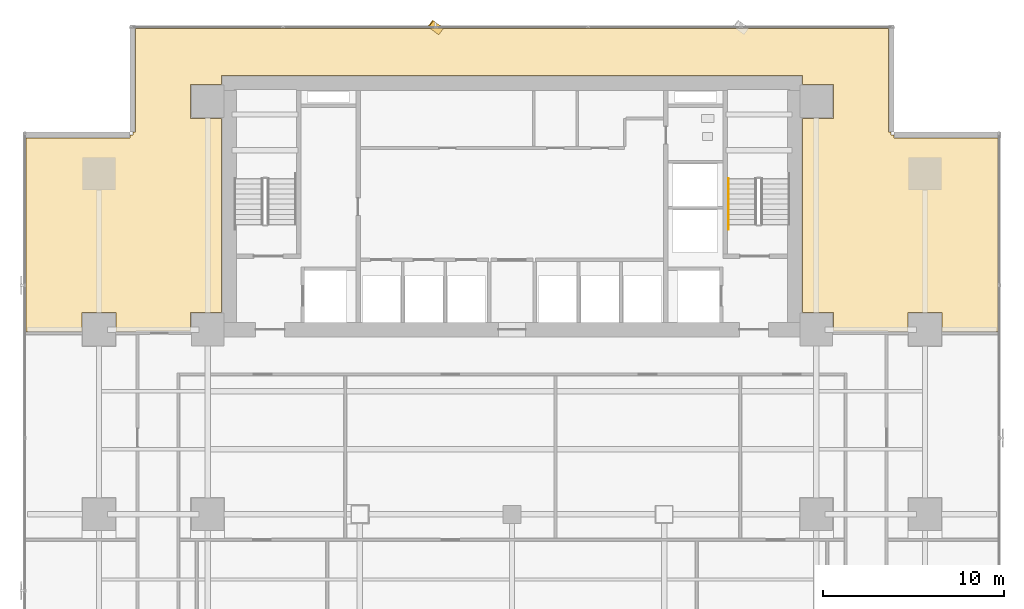
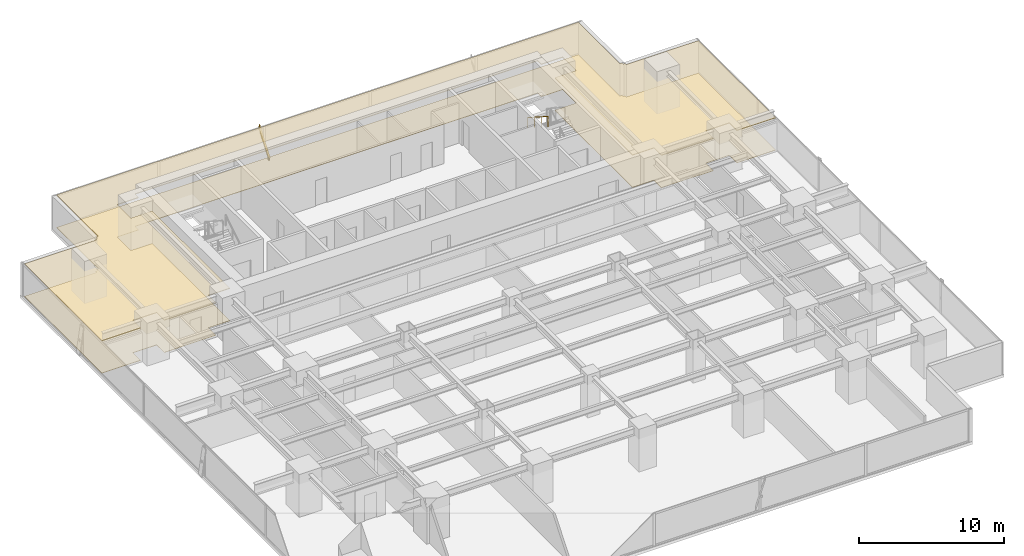
# One storey, part 30 of 32: 2 coverings, 1 railing, 1 shading device.
"""IFC4 building model written with IfcOpenShell, lengths in metres."""

from ifc_helpers import new_model, si_unit, direction, frame, origin, origin_2d, place, context, subcontext, project, spatial, polyline, rectangle, outline, extrude, source, transform, mapped, material, layer, layer_set, material_profile, profile_set, type_object, element, save


model = new_model("IFC4")

# Units and contexts
model_context = context("Model", 3, precision=1e-05, world=origin(), true_north=direction((0.0, 1.0)))
body_context = subcontext(model_context, "Body", "Model", "MODEL_VIEW")
ifc_project = project(units=[si_unit("LENGTHUNIT", "METRE"), si_unit("AREAUNIT", "SQUARE_METRE"), si_unit("VOLUMEUNIT", "CUBIC_METRE"), si_unit("PLANEANGLEUNIT", "RADIAN"), si_unit("MASSUNIT", "GRAM", prefix="KILO")], contexts=[model_context])

# Site, building, storey
site_placement = place(None, origin())
site = spatial("IfcSite", under=ifc_project, at=site_placement, CompositionType="ELEMENT")
building_placement = place(site_placement, origin())
building = spatial("IfcBuilding", under=site, at=building_placement, Name="Sumidabori Civic Tower", CompositionType="ELEMENT")
storey_placement = place(building_placement, frame((0.0, 0.0, 45.199951171875)))
storey = spatial("IfcBuildingStorey", under=building, at=storey_placement, Name="L11", CompositionType="ELEMENT", Elevation=45.199951171875)

# Coverings
ifc_material_1 = material(Name="Anodised Bronze Baffle Ceiling")
ifc_layer_1 = layer(ifc_material_1, 0.054931640625, Name="Anodised Bronze Baffle Ceiling")
ifc_layer_set_1 = layer_set([ifc_layer_1], Name="Anodised Bronze Baffle Ceiling")
covering_type_1 = type_object("IfcCoveringType", Name="CV-CEIL-AC3", PredefinedType="CEILING", material=ifc_layer_set_1)
covering_1_placement = place(storey_placement, frame((0.0, 0.0, 2.7099609375)))
element("IfcCovering", 1, at=covering_1_placement, inside=storey, type_object=covering_type_1, Name="Room Acoustic Ceiling L11-01", PredefinedType="CEILING", context=body_context, shape_type="SweptSolid", body=[
    extrude(outline(polyline([(-26.830078125, 10.094970703125), (-26.830078125, 20.77197265625), (-21.092041015625, 20.77197265625), (-21.092041015625, 20.929931640625), (-20.929931640625, 20.929931640625), (-20.929931640625, 21.092041015625), (-20.77197265625, 21.092041015625), (-20.77197265625, 26.830078125), (20.77197265625, 26.830078125), (20.77197265625, 21.092041015625), (20.929931640625, 21.092041015625), (20.929931640625, 20.929931640625), (21.092041015625, 20.929931640625), (21.092041015625, 20.77197265625), (26.830078125, 20.77197265625), (26.830078125, 10.094970703125), (23.739990234375, 10.094970703125), (23.739990234375, 11.139892578125), (21.860107421875, 11.139892578125), (21.860107421875, 10.094970703125), (20.77001953125, 10.094970703125), (20.77001953125, 10.1201171875), (17.739990234375, 10.1201171875), (17.739990234375, 11.139892578125), (16.028076171875, 11.139892578125), (16.028076171875, 21.860107421875), (17.739990234375, 21.860107421875), (17.739990234375, 23.739990234375), (16.028076171875, 23.739990234375), (16.028076171875, 24.22802734375), (-16.028076171875, 24.22802734375), (-16.028076171875, 23.739990234375), (-17.739990234375, 23.739990234375), (-17.739990234375, 21.860107421875), (-16.028076171875, 21.860107421875), (-16.028076171875, 11.139892578125), (-17.739990234375, 11.139892578125), (-17.739990234375, 10.1201171875), (-20.77001953125, 10.1201171875), (-20.77001953125, 10.094970703125), (-21.860107421875, 10.094970703125), (-21.860107421875, 11.139892578125), (-23.739990234375, 11.139892578125), (-23.739990234375, 10.094970703125), (-26.830078125, 10.094970703125)])), origin(), (0.0, 0.0, 1.0), 0.05517578125),
])
ifc_material_2 = material(Name="Honed Terrazzo Tile Flooring")
ifc_layer_2 = layer(ifc_material_2, 0.030029296875, Name="Honed Terrazzo Tile Flooring")
ifc_layer_set_2 = layer_set([ifc_layer_2], Name="Honed Terrazzo Tile Flooring")
covering_type_2 = type_object("IfcCoveringType", Name="CV-FLR-TER", PredefinedType="FLOORING", material=ifc_layer_set_2)
covering_2_placement = place(storey_placement, origin())
element("IfcCovering", 2, at=covering_2_placement, inside=storey, type_object=covering_type_2, Name="Room Terrazzo Floor L11-01", PredefinedType="FLOORING", context=body_context, shape_type="SweptSolid", body=[
    extrude(outline(polyline([(-26.830078125, 10.094970703125), (-26.830078125, 20.77197265625), (-21.092041015625, 20.77197265625), (-21.092041015625, 20.929931640625), (-20.929931640625, 20.929931640625), (-20.929931640625, 21.092041015625), (-20.77197265625, 21.092041015625), (-20.77197265625, 26.830078125), (20.77197265625, 26.830078125), (20.77197265625, 21.092041015625), (20.929931640625, 21.092041015625), (20.929931640625, 20.929931640625), (21.092041015625, 20.929931640625), (21.092041015625, 20.77197265625), (26.830078125, 20.77197265625), (26.830078125, 10.094970703125), (23.739990234375, 10.094970703125), (23.739990234375, 11.139892578125), (21.860107421875, 11.139892578125), (21.860107421875, 10.094970703125), (20.77001953125, 10.094970703125), (20.77001953125, 10.1201171875), (17.739990234375, 10.1201171875), (17.739990234375, 11.139892578125), (16.028076171875, 11.139892578125), (16.028076171875, 21.860107421875), (17.739990234375, 21.860107421875), (17.739990234375, 23.739990234375), (16.028076171875, 23.739990234375), (16.028076171875, 24.22802734375), (-16.028076171875, 24.22802734375), (-16.028076171875, 23.739990234375), (-17.739990234375, 23.739990234375), (-17.739990234375, 21.860107421875), (-16.028076171875, 21.860107421875), (-16.028076171875, 11.139892578125), (-17.739990234375, 11.139892578125), (-17.739990234375, 10.1201171875), (-20.77001953125, 10.1201171875), (-20.77001953125, 10.094970703125), (-21.860107421875, 10.094970703125), (-21.860107421875, 11.139892578125), (-23.739990234375, 11.139892578125), (-23.739990234375, 10.094970703125), (-26.830078125, 10.094970703125)])), origin(), (0.0, 0.0, 1.0), 0.030029296875),
])

# Railing
ifc_material_3 = material(Name="Stainless Steel Hairline Finish", Category="steel")
railing_type = type_object("IfcRailingType", Name="RL-HANDRAIL", PredefinedType="HANDRAIL", material=ifc_material_3)
railing_placement = place(storey_placement, frame((11.949951171875, 18.52001953125, 1.97998046875)))
element("IfcRailing", 3, at=railing_placement, inside=storey, type_object=railing_type, Name="L11 ST-2 stair handrail 2", PredefinedType="HANDRAIL", context=body_context, shape_type="SweptSolid", body=[
    extrude(rectangle(XDim=0.048095703125, YDim=0.048095703125, at=origin_2d()), frame((0.0, 0.0, 0.8759765625), z_axis=(0.0, -0.84064222762, 0.54159084662), x_axis=(1.0, 0.0, 0.0)), (0.0, 0.0, 1.0), 3.330810546875),
    extrude(rectangle(XDim=0.0419921875, YDim=0.0419921875, at=origin_2d()), origin(), (0.0, 0.0, 1.0), 0.851806640625),
    extrude(rectangle(XDim=0.0419921875, YDim=0.0419921875, at=origin_2d()), frame((0.0, -0.933349609375, 0.601318359375)), (0.0, 0.0, 1.0), 0.851806640625),
    extrude(rectangle(XDim=0.0419921875, YDim=0.0419921875, at=origin_2d()), frame((0.0, -1.86669921875, 1.20263671875)), (0.0, 0.0, 1.0), 0.851806640625),
    extrude(rectangle(XDim=0.0419921875, YDim=0.0419921875, at=origin_2d()), frame((0.0, -2.800048828125, 1.803955078125)), (0.0, 0.0, 1.0), 0.851806640625),
])

# Shading device
ifc_material_4 = material(Name="Anodised Bronze Aluminium AW-6063-T6", Category="aluminium")
ifc_material_profile = material_profile(ifc_material_4, rectangle(XDim=0.06005859375, YDim=0.449951171875, at=origin_2d()), Name="BRONZE FIN 450x60")
ifc_profile_set = profile_set([ifc_material_profile], Name="Anodised Bronze Aluminium AW-6063-T6")
shading_device_type = type_object("IfcShadingDeviceType", Name="SH-FIN-450", PredefinedType="USERDEFINED", material=ifc_profile_set)
shared_shape = source(origin(), body_context, "Body", "SweptSolid", [
    extrude(rectangle(XDim=0.06005859375, YDim=0.449951171875, at=origin_2d()), origin(), (0.0, 0.0, 1.0), 2.769775390625),
])
shading_device_placement = place(storey_placement, frame((-3.93408203125, 26.669921875, 0.02001953125), z_axis=(-0.20211139135, 0.151693721986, 0.967543280787), x_axis=(0.773832092044, -0.580795913828, 0.252705361643)))
element("IfcShadingDevice", 4, at=shading_device_placement, inside=storey, type_object=shading_device_type, Name="Bronze Anodised Diagonal Fin L11-03", ObjectType="FIN", PredefinedType="USERDEFINED", context=body_context, shape_type="MappedRepresentation", body=[
    mapped(shared_shape, transform((0.0, 0.0, 0.0), x_axis=(1.0, 0.0, 0.0), y_axis=(0.0, 1.0, 0.0), z_axis=(0.0, 0.0, 1.0), scale=1.0)),
])

save(model, "model.ifc")
